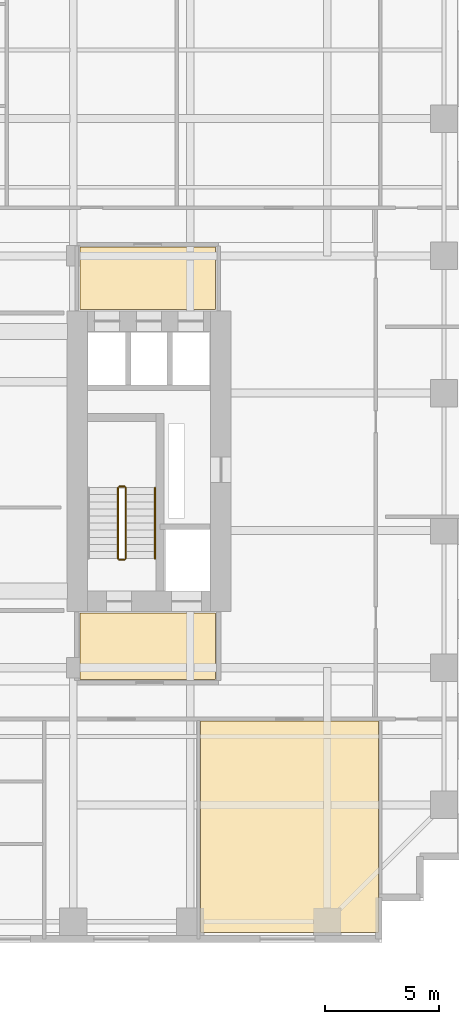
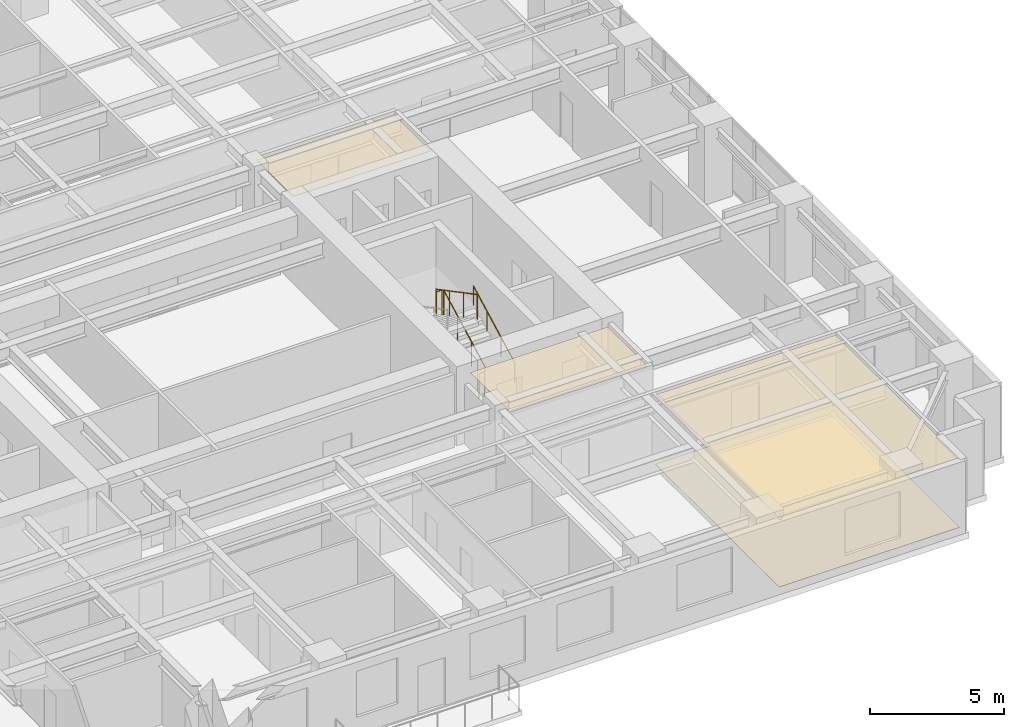
# One storey, part 18 of 19: 5 railings, 4 coverings.
"""IFC4 building model written with IfcOpenShell, lengths in metres."""

from ifc_helpers import new_model, si_unit, direction, frame, origin, origin_2d, place, context, subcontext, project, spatial, polyline, circle, outline, extrude, material, layer, layer_set, type_object, element, save


model = new_model("IFC4")

# Units and contexts
model_context = context("Model", 3, precision=1e-05, world=origin(), true_north=direction((0.0, 1.0)))
body_context = subcontext(model_context, "Body", "Model", "MODEL_VIEW")
ifc_project = project(units=[si_unit("LENGTHUNIT", "METRE"), si_unit("AREAUNIT", "SQUARE_METRE"), si_unit("VOLUMEUNIT", "CUBIC_METRE"), si_unit("PLANEANGLEUNIT", "RADIAN"), si_unit("MASSUNIT", "GRAM", prefix="KILO")], contexts=[model_context])

# Site, building, storey
site_placement = place(None, origin())
site = spatial("IfcSite", under=ifc_project, at=site_placement, CompositionType="ELEMENT")
building_placement = place(site_placement, origin())
building = spatial("IfcBuilding", under=site, at=building_placement, Name="Khoralis Quay Care Tower", CompositionType="ELEMENT")
storey_placement = place(building_placement, frame((0.0, 0.0, 69.300048828125)))
storey = spatial("IfcBuildingStorey", under=building, at=storey_placement, Name="L18", CompositionType="ELEMENT", Elevation=69.300048828125)

# Coverings
ifc_material_1 = material(Name="Mineral-fibre acoustic ceiling tile")
ifc_layer_1 = layer(ifc_material_1, 0.01806640625)
ifc_layer_set_1 = layer_set([ifc_layer_1], Name="Mineral-fibre acoustic ceiling tile")
covering_type_1 = type_object("IfcCoveringType", Name="COV-CEIL-AC18", PredefinedType="CEILING", material=ifc_layer_set_1)
covering_1_placement = place(storey_placement, frame((0.0, 0.0, 3.171875)))
element("IfcCovering", 1, at=covering_1_placement, inside=storey, type_object=covering_type_1, Name="Suspended Acoustic Ceiling SP-L18-FFLOB-E", PredefinedType="CEILING", context=body_context, shape_type="SweptSolid", body=[
    extrude(outline(polyline([(31.179931640625, 11.47998046875), (37.1201171875, 11.47998046875), (37.1201171875, 14.39990234375), (31.179931640625, 14.39990234375), (31.179931640625, 11.47998046875)])), origin(), (0.0, 0.0, 1.0), 0.01806640625),
])
covering_2_placement = place(storey_placement, frame((0.0, 0.0, 3.171875)))
element("IfcCovering", 2, at=covering_2_placement, inside=storey, type_object=covering_type_1, Name="Suspended Acoustic Ceiling SP-L18-LLOB-E", PredefinedType="CEILING", context=body_context, shape_type="SweptSolid", body=[
    extrude(outline(polyline([(31.179931640625, 27.64990234375), (37.1201171875, 27.64990234375), (37.1201171875, 30.389892578125), (31.179931640625, 30.389892578125), (31.179931640625, 27.64990234375)])), origin(), (0.0, 0.0, 1.0), 0.01806640625),
])
covering_3_placement = place(storey_placement, frame((0.0, 0.0, 3.171875)))
element("IfcCovering", 3, at=covering_3_placement, inside=storey, type_object=covering_type_1, Name="Suspended Acoustic Ceiling SP-L18-SB-COM4", PredefinedType="CEILING", context=body_context, shape_type="SweptSolid", body=[
    extrude(outline(polyline([(36.449951171875, 0.419921875), (44.239990234375, 0.419921875), (44.239990234375, 9.679931640625), (36.449951171875, 9.679931640625), (36.449951171875, 0.419921875)])), origin(), (0.0, 0.0, 1.0), 0.01806640625),
])
ifc_material_2 = material(Name="Porcelain and non-slip vinyl flooring")
ifc_layer_2 = layer(ifc_material_2, 0.02001953125)
ifc_layer_set_2 = layer_set([ifc_layer_2], Name="Porcelain and non-slip vinyl flooring")
covering_type_2 = type_object("IfcCoveringType", Name="COV-FLOOR-20", PredefinedType="FLOORING", material=ifc_layer_set_2)
covering_4_placement = place(storey_placement, origin())
element("IfcCovering", 4, at=covering_4_placement, inside=storey, type_object=covering_type_2, Name="Resilient Healthcare Flooring SP-L18-SB-COM4", PredefinedType="FLOORING", context=body_context, shape_type="SweptSolid", body=[
    extrude(outline(polyline([(36.449951171875, 0.419921875), (44.239990234375, 0.419921875), (44.239990234375, 9.679931640625), (36.449951171875, 9.679931640625), (36.449951171875, 0.419921875)])), origin(), (0.0, 0.0, 1.0), 0.02001953125),
])

# Railings
ifc_material_3 = material(Name="Brushed stainless steel", Category="steel")
railing_type_1 = type_object("IfcRailingType", Name="RL-GUARD-1150", PredefinedType="GUARDRAIL", material=ifc_material_3)
railing_1_placement = place(storey_placement, frame((33.18994140625, 16.77001953125, 0.16357421875)))
element("IfcRailing", 5, at=railing_1_placement, inside=storey, type_object=railing_type_1, Name="L18 ST-T2 stair guard 1", PredefinedType="GUARDRAIL", context=body_context, shape_type="SweptSolid", body=[
    extrude(circle(Radius=0.02392578125, at=origin_2d()), frame((0.0, 0.0, 1.1259765625), z_axis=(0.0, 0.884348015382, 0.466828220752), x_axis=(-1.0, 0.0, 0.0)), (0.0, 0.0, 1.0), 3.505615234375),
    extrude(circle(Radius=0.02099609375, at=origin_2d()), origin(), (0.0, 0.0, 1.0), 1.101806640625),
    extrude(circle(Radius=0.02099609375, at=origin_2d()), frame((0.0, 1.033447265625, 0.54541015625)), (0.0, 0.0, 1.0), 1.101806640625),
    extrude(circle(Radius=0.02099609375, at=origin_2d()), frame((0.0, 2.066650390625, 1.091064453125)), (0.0, 0.0, 1.0), 1.101806640625),
    extrude(circle(Radius=0.02099609375, at=origin_2d()), frame((0.0, 3.10009765625, 1.636474609375)), (0.0, 0.0, 1.0), 1.101806640625),
])
railing_2_placement = place(storey_placement, frame((33.139892578125, 19.919921875, 1.800048828125)))
element("IfcRailing", 6, at=railing_2_placement, inside=storey, type_object=railing_type_1, Name="L18 ST-T2 stair guard 2", PredefinedType="GUARDRAIL", context=body_context, shape_type="SweptSolid", body=[
    extrude(circle(Radius=0.02392578125, at=origin_2d()), frame((0.0, 0.0, 1.1259765625), z_axis=(-1.0, 0.0, 0.0), x_axis=(0.0, -1.0, 0.0)), (0.0, 0.0, 1.0), 0.239990234375),
    extrude(circle(Radius=0.02099609375, at=origin_2d()), origin(), (0.0, 0.0, 1.0), 1.101806640625),
    extrude(circle(Radius=0.02099609375, at=origin_2d()), frame((-0.239990234375, 0.0, 0.0)), (0.0, 0.0, 1.0), 1.101806640625),
])
railing_3_placement = place(storey_placement, frame((32.85009765625, 19.8701171875, 1.963623046875)))
element("IfcRailing", 7, at=railing_3_placement, inside=storey, type_object=railing_type_1, Name="L18 ST-T2 stair guard 3", PredefinedType="GUARDRAIL", context=body_context, shape_type="SweptSolid", body=[
    extrude(circle(Radius=0.02392578125, at=origin_2d()), frame((0.0, 0.0, 1.1259765625), z_axis=(0.0, -0.884376766648, 0.46677375099), x_axis=(1.0, 0.0, 0.0)), (0.0, 0.0, 1.0), 3.50537109375),
    extrude(circle(Radius=0.02099609375, at=origin_2d()), origin(), (0.0, 0.0, 1.0), 1.101806640625),
    extrude(circle(Radius=0.02099609375, at=origin_2d()), frame((0.0, -1.033447265625, 0.54541015625)), (0.0, 0.0, 1.0), 1.101806640625),
    extrude(circle(Radius=0.02099609375, at=origin_2d()), frame((0.0, -2.066650390625, 1.0908203125)), (0.0, 0.0, 1.0), 1.101806640625),
    extrude(circle(Radius=0.02099609375, at=origin_2d()), frame((0.0, -3.10009765625, 1.63623046875)), (0.0, 0.0, 1.0), 1.101806640625),
])
railing_4_placement = place(storey_placement, frame((33.139892578125, 16.719970703125, 0.0)))
element("IfcRailing", 8, at=railing_4_placement, inside=storey, type_object=railing_type_1, Name="L18 ST-T2 stair guard 4", PredefinedType="GUARDRAIL", context=body_context, shape_type="SweptSolid", body=[
    extrude(circle(Radius=0.02392578125, at=origin_2d()), frame((0.0, 0.0, 1.1259765625), z_axis=(-1.0, 0.0, 0.0), x_axis=(0.0, -1.0, 0.0)), (0.0, 0.0, 1.0), 0.239990234375),
    extrude(circle(Radius=0.02099609375, at=origin_2d()), origin(), (0.0, 0.0, 1.0), 1.101806640625),
    extrude(circle(Radius=0.02099609375, at=origin_2d()), frame((-0.239990234375, 0.0, 0.0)), (0.0, 0.0, 1.0), 1.101806640625),
])
railing_type_2 = type_object("IfcRailingType", Name="RL-HAND-900", PredefinedType="HANDRAIL", material=ifc_material_3)
railing_5_placement = place(storey_placement, frame((34.469970703125, 16.77001953125, 0.16357421875)))
element("IfcRailing", 9, at=railing_5_placement, inside=storey, type_object=railing_type_2, Name="L18 ST-T2 stair handrail 1", PredefinedType="HANDRAIL", context=body_context, shape_type="SweptSolid", body=[
    extrude(circle(Radius=0.02392578125, at=origin_2d()), frame((0.0, 0.0, 0.8759765625), z_axis=(0.0, 0.884348015382, 0.466828220752), x_axis=(-1.0, 0.0, 0.0)), (0.0, 0.0, 1.0), 3.505615234375),
    extrude(circle(Radius=0.02099609375, at=origin_2d()), origin(), (0.0, 0.0, 1.0), 0.851806640625),
    extrude(circle(Radius=0.02099609375, at=origin_2d()), frame((0.0, 1.033447265625, 0.54541015625)), (0.0, 0.0, 1.0), 0.851806640625),
    extrude(circle(Radius=0.02099609375, at=origin_2d()), frame((0.0, 2.066650390625, 1.091064453125)), (0.0, 0.0, 1.0), 0.851806640625),
    extrude(circle(Radius=0.02099609375, at=origin_2d()), frame((0.0, 3.10009765625, 1.636474609375)), (0.0, 0.0, 1.0), 0.851806640625),
])

save(model, "model.ifc")
